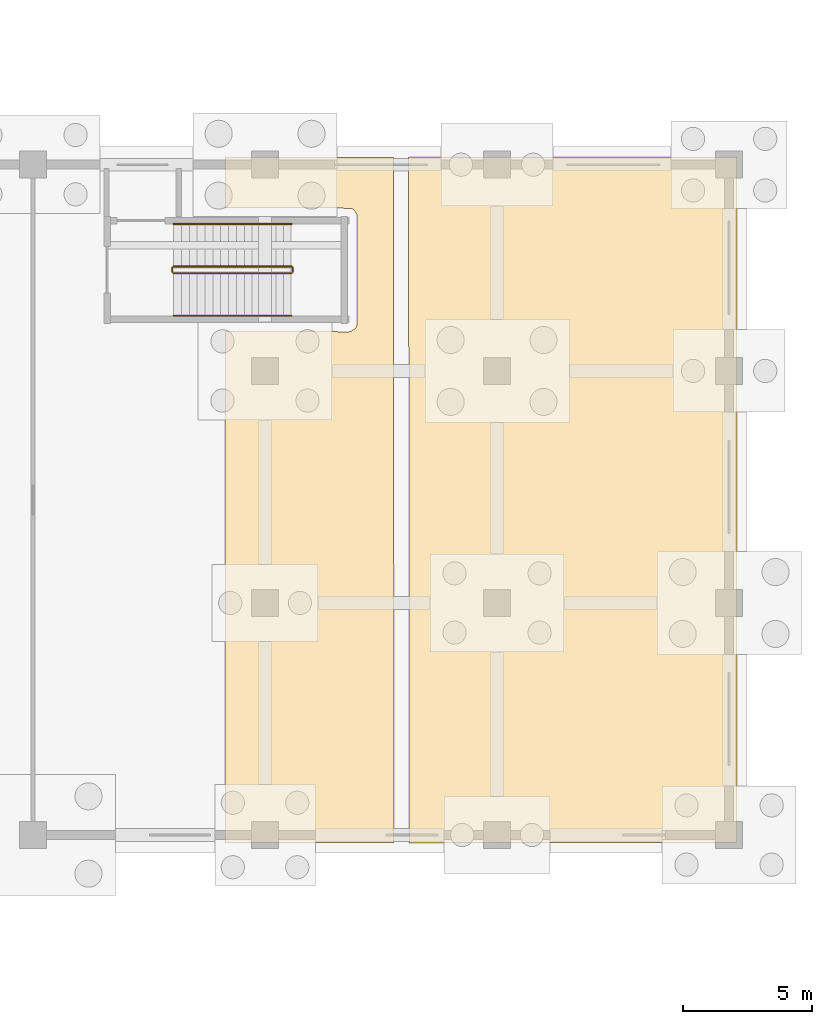
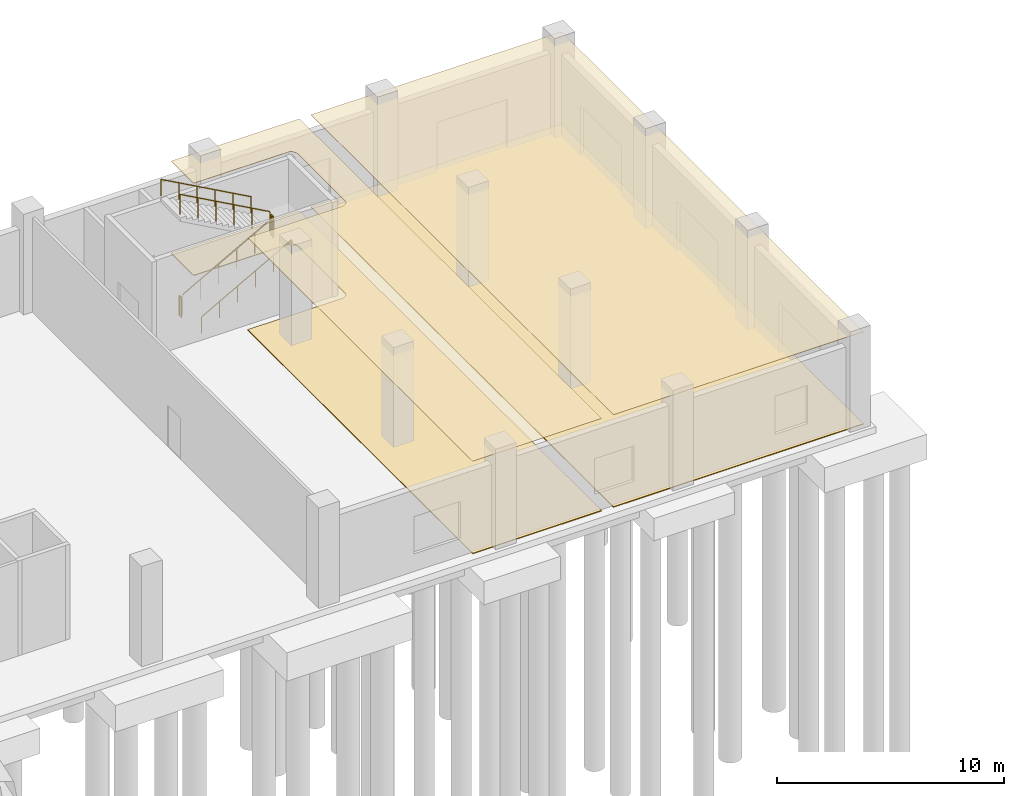
# One storey, part 101 of 103: 6 railings, 4 coverings.
"""IFC4 building model written with IfcOpenShell, lengths in metres."""

from ifc_helpers import new_model, si_unit, direction, frame, origin, origin_2d, place, context, subcontext, project, spatial, polyline, circle, outline, extrude, material, layer, layer_set, type_object, element, save


model = new_model("IFC4")

# Units and contexts
model_context = context("Model", 3, precision=1e-05, world=origin(), true_north=direction((0.0, 1.0)))
body_context = subcontext(model_context, "Body", "Model", "MODEL_VIEW")
ifc_project = project(units=[si_unit("LENGTHUNIT", "METRE"), si_unit("AREAUNIT", "SQUARE_METRE"), si_unit("VOLUMEUNIT", "CUBIC_METRE"), si_unit("PLANEANGLEUNIT", "RADIAN"), si_unit("MASSUNIT", "GRAM", prefix="KILO")], contexts=[model_context])

# Site, building, storey
site_placement = place(None, origin())
site = spatial("IfcSite", under=ifc_project, at=site_placement, CompositionType="ELEMENT")
building_placement = place(site_placement, origin())
building = spatial("IfcBuilding", under=site, at=building_placement, Name="Zevraka Park Crest Stadium", CompositionType="ELEMENT")
storey_placement = place(building_placement, origin())
storey = spatial("IfcBuildingStorey", under=building, at=storey_placement, Name="L00", CompositionType="ELEMENT", Elevation=0.0)

# Coverings
ifc_material_1 = material(Name="Perforated acoustic mineral-fibre suspended ceiling", Category="other")
ifc_layer_1 = layer(ifc_material_1, 0.02490234375)
ifc_layer_set_1 = layer_set([ifc_layer_1], Name="Perforated acoustic mineral-fibre suspended ceiling")
covering_type_1 = type_object("IfcCoveringType", Name="CLG01", PredefinedType="CEILING", material=ifc_layer_set_1)
covering_1_placement = place(storey_placement, frame((0.0, 0.0, 4.9599609375)))
element("IfcCovering", 1, at=covering_1_placement, inside=storey, type_object=covering_type_1, Name="Acoustic Ceiling Supporter Shop L00-063", PredefinedType="CEILING", context=body_context, shape_type="SweptSolid", body=[
    extrude(outline(polyline([(224.30810546875, 184.2919921875), (224.303955078125, 157.712890625), (211.5849609375, 157.696044921875), (211.569091796875, 184.29296875), (224.30810546875, 184.2919921875)])), origin(), (0.0, 0.0, 1.0), 0.025146484375),
])
covering_2_placement = place(storey_placement, frame((0.0, 0.0, 4.9599609375)))
element("IfcCovering", 2, at=covering_2_placement, inside=storey, type_object=covering_type_1, Name="Acoustic Ceiling Supporter Shop L00-064", PredefinedType="CEILING", context=body_context, shape_type="SweptSolid", body=[
    extrude(outline(polyline([(204.43896484375, 177.52490234375), (209.2490234375, 177.52001953125), (209.26904296875, 177.52099609375), (209.2880859375, 177.52392578125), (209.306884765625, 177.529052734375), (209.325927734375, 177.534912109375), (209.343994140625, 177.5439453125), (209.361083984375, 177.553955078125), (209.471923828125, 177.62890625), (209.488037109375, 177.64111328125), (209.501953125, 177.654052734375), (209.514892578125, 177.6689453125), (209.527099609375, 177.68408203125), (209.537109375, 177.700927734375), (209.544921875, 177.718994140625), (209.551025390625, 177.737060546875), (209.555908203125, 177.756103515625), (209.55908203125, 177.77490234375), (209.56005859375, 177.794921875), (209.570068359375, 181.9990234375), (209.569091796875, 182.01806640625), (209.56591796875, 182.0380859375), (209.56103515625, 182.056884765625), (209.554931640625, 182.074951171875), (209.547119140625, 182.093017578125), (209.535888671875, 182.110107421875), (209.4619140625, 182.220947265625), (209.450927734375, 182.237060546875), (209.43798828125, 182.2509765625), (209.423095703125, 182.263916015625), (209.406982421875, 182.27587890625), (209.39111328125, 182.285888671875), (209.373046875, 182.294921875), (209.35400390625, 182.301025390625), (209.3349609375, 182.305908203125), (209.31591796875, 182.30908203125), (209.2958984375, 182.31005859375), (204.4619140625, 182.322021484375), (204.45703125, 184.2919921875), (210.98095703125, 184.281005859375), (210.9990234375, 157.712890625), (204.43798828125, 157.702880859375), (204.43896484375, 177.52490234375)])), origin(), (0.0, 0.0, 1.0), 0.025146484375),
])
ifc_material_2 = material(Name="Honed terrazzo and slip-resistant sports flooring", Category="other")
ifc_layer_2 = layer(ifc_material_2, 0.0400390625)
ifc_layer_set_2 = layer_set([ifc_layer_2], Name="Honed terrazzo and slip-resistant sports flooring")
covering_type_2 = type_object("IfcCoveringType", Name="FLR01", PredefinedType="FLOORING", material=ifc_layer_set_2)
covering_3_placement = place(storey_placement, origin())
element("IfcCovering", 3, at=covering_3_placement, inside=storey, type_object=covering_type_2, Name="Terrazzo Floor Finish Supporter Shop L00-063", PredefinedType="FLOORING", context=body_context, shape_type="SweptSolid", body=[
    extrude(outline(polyline([(224.30810546875, 184.2919921875), (224.303955078125, 157.712890625), (211.5849609375, 157.696044921875), (211.569091796875, 184.29296875), (224.30810546875, 184.2919921875)])), origin(), (0.0, 0.0, 1.0), 0.0400390625),
])
covering_4_placement = place(storey_placement, origin())
element("IfcCovering", 4, at=covering_4_placement, inside=storey, type_object=covering_type_2, Name="Terrazzo Floor Finish Supporter Shop L00-064", PredefinedType="FLOORING", context=body_context, shape_type="SweptSolid", body=[
    extrude(outline(polyline([(204.43896484375, 177.52490234375), (209.2490234375, 177.52001953125), (209.26904296875, 177.52099609375), (209.2880859375, 177.52392578125), (209.306884765625, 177.529052734375), (209.325927734375, 177.534912109375), (209.343994140625, 177.5439453125), (209.361083984375, 177.553955078125), (209.471923828125, 177.62890625), (209.488037109375, 177.64111328125), (209.501953125, 177.654052734375), (209.514892578125, 177.6689453125), (209.527099609375, 177.68408203125), (209.537109375, 177.700927734375), (209.544921875, 177.718994140625), (209.551025390625, 177.737060546875), (209.555908203125, 177.756103515625), (209.55908203125, 177.77490234375), (209.56005859375, 177.794921875), (209.570068359375, 181.9990234375), (209.569091796875, 182.01806640625), (209.56591796875, 182.0380859375), (209.56103515625, 182.056884765625), (209.554931640625, 182.074951171875), (209.547119140625, 182.093017578125), (209.535888671875, 182.110107421875), (209.4619140625, 182.220947265625), (209.450927734375, 182.237060546875), (209.43798828125, 182.2509765625), (209.423095703125, 182.263916015625), (209.406982421875, 182.27587890625), (209.39111328125, 182.285888671875), (209.373046875, 182.294921875), (209.35400390625, 182.301025390625), (209.3349609375, 182.305908203125), (209.31591796875, 182.30908203125), (209.2958984375, 182.31005859375), (204.4619140625, 182.322021484375), (204.45703125, 184.2919921875), (210.98095703125, 184.281005859375), (210.9990234375, 157.712890625), (204.43798828125, 157.702880859375), (204.43896484375, 177.52490234375)])), origin(), (0.0, 0.0, 1.0), 0.0400390625),
])

# Railings
ifc_material_3 = material(Name="Powder-coated tubular steel stairwell guard", Category="steel")
railing_type_1 = type_object("IfcRailingType", Name="GR03", PredefinedType="GUARDRAIL", material=ifc_material_3)
railing_1_placement = place(storey_placement, frame((202.449951171875, 179.7900390625, 0.168701171875)))
element("IfcRailing", 5, at=railing_1_placement, inside=storey, type_object=railing_type_1, Name="L00 ST45 stair guard 1", PredefinedType="GUARDRAIL", context=body_context, shape_type="SweptSolid", body=[
    extrude(circle(Radius=0.02392578125, at=origin_2d()), frame((0.0, 0.0, 1.076171875), z_axis=(0.874999533545, 0.0, 0.484123761342), x_axis=(0.0, 1.0, 0.0)), (0.0, 0.0, 1.0), 5.228515625),
    extrude(circle(Radius=0.02099609375, at=origin_2d()), origin(), (0.0, 0.0, 1.0), 1.052001953125),
    extrude(circle(Radius=0.02099609375, at=origin_2d()), frame((0.9150390625, 0.0, 0.50634765625)), (0.0, 0.0, 1.0), 1.052001953125),
    extrude(circle(Radius=0.02099609375, at=origin_2d()), frame((1.830078125, 0.0, 1.012451171875)), (0.0, 0.0, 1.0), 1.052001953125),
    extrude(circle(Radius=0.02099609375, at=origin_2d()), frame((2.744873046875, 0.0, 1.518798828125)), (0.0, 0.0, 1.0), 1.052001953125),
    extrude(circle(Radius=0.02099609375, at=origin_2d()), frame((3.659912109375, 0.0, 2.02490234375)), (0.0, 0.0, 1.0), 1.052001953125),
    extrude(circle(Radius=0.02099609375, at=origin_2d()), frame((4.574951171875, 0.0, 2.53125)), (0.0, 0.0, 1.0), 1.052001953125),
])
railing_2_placement = place(storey_placement, frame((207.074951171875, 179.840087890625, 2.699951171875)))
element("IfcRailing", 6, at=railing_2_placement, inside=storey, type_object=railing_type_1, Name="L00 ST45 stair guard 2", PredefinedType="GUARDRAIL", context=body_context, shape_type="SweptSolid", body=[
    extrude(circle(Radius=0.02392578125, at=origin_2d()), frame((0.0, 0.0, 1.076171875), z_axis=(0.0, 1.0, 0.0), x_axis=(-1.0, 0.0, 0.0)), (0.0, 0.0, 1.0), 0.159912109375),
    extrude(circle(Radius=0.02099609375, at=origin_2d()), origin(), (0.0, 0.0, 1.0), 1.052001953125),
    extrude(circle(Radius=0.02099609375, at=origin_2d()), frame((0.0, 0.159912109375, 0.0)), (0.0, 0.0, 1.0), 1.052001953125),
])
railing_3_placement = place(storey_placement, frame((207.02490234375, 180.050048828125, 2.86865234375)))
element("IfcRailing", 7, at=railing_3_placement, inside=storey, type_object=railing_type_1, Name="L00 ST45 stair guard 3", PredefinedType="GUARDRAIL", context=body_context, shape_type="SweptSolid", body=[
    extrude(circle(Radius=0.02392578125, at=origin_2d()), frame((0.0, 0.0, 1.076171875), z_axis=(-0.874999533545, 0.0, 0.484123761342), x_axis=(0.0, -1.0, 0.0)), (0.0, 0.0, 1.0), 5.228515625),
    extrude(circle(Radius=0.02099609375, at=origin_2d()), origin(), (0.0, 0.0, 1.0), 1.052001953125),
    extrude(circle(Radius=0.02099609375, at=origin_2d()), frame((-0.9150390625, 0.0, 0.50634765625)), (0.0, 0.0, 1.0), 1.052001953125),
    extrude(circle(Radius=0.02099609375, at=origin_2d()), frame((-1.830078125, 0.0, 1.012451171875)), (0.0, 0.0, 1.0), 1.052001953125),
    extrude(circle(Radius=0.02099609375, at=origin_2d()), frame((-2.744873046875, 0.0, 1.518798828125)), (0.0, 0.0, 1.0), 1.052001953125),
    extrude(circle(Radius=0.02099609375, at=origin_2d()), frame((-3.659912109375, 0.0, 2.02490234375)), (0.0, 0.0, 1.0), 1.052001953125),
    extrude(circle(Radius=0.02099609375, at=origin_2d()), frame((-4.574951171875, 0.0, 2.53125)), (0.0, 0.0, 1.0), 1.052001953125),
])
railing_4_placement = place(storey_placement, frame((202.39990234375, 179.840087890625, 0.0)))
element("IfcRailing", 8, at=railing_4_placement, inside=storey, type_object=railing_type_1, Name="L00 ST45 stair guard 4", PredefinedType="GUARDRAIL", context=body_context, shape_type="SweptSolid", body=[
    extrude(circle(Radius=0.02392578125, at=origin_2d()), frame((0.0, 0.0, 1.076171875), z_axis=(0.0, 1.0, 0.0), x_axis=(-1.0, 0.0, 0.0)), (0.0, 0.0, 1.0), 0.159912109375),
    extrude(circle(Radius=0.02099609375, at=origin_2d()), origin(), (0.0, 0.0, 1.0), 1.052001953125),
    extrude(circle(Radius=0.02099609375, at=origin_2d()), frame((0.0, 0.159912109375, 0.0)), (0.0, 0.0, 1.0), 1.052001953125),
])
ifc_material_4 = material(Name="Brushed stainless steel continuous handrail", Category="steel")
railing_type_2 = type_object("IfcRailingType", Name="HR01", PredefinedType="HANDRAIL", material=ifc_material_4)
railing_5_placement = place(storey_placement, frame((202.449951171875, 178.139892578125, 0.168701171875)))
element("IfcRailing", 9, at=railing_5_placement, inside=storey, type_object=railing_type_2, Name="L00 ST45 stair handrail 1", PredefinedType="HANDRAIL", context=body_context, shape_type="SweptSolid", body=[
    extrude(circle(Radius=0.02392578125, at=origin_2d()), frame((0.0, 0.0, 0.8759765625), z_axis=(0.874999533545, 0.0, 0.484123761342), x_axis=(0.0, 1.0, 0.0)), (0.0, 0.0, 1.0), 5.228515625),
    extrude(circle(Radius=0.02099609375, at=origin_2d()), origin(), (0.0, 0.0, 1.0), 0.851806640625),
    extrude(circle(Radius=0.02099609375, at=origin_2d()), frame((0.9150390625, 0.0, 0.50634765625)), (0.0, 0.0, 1.0), 0.851806640625),
    extrude(circle(Radius=0.02099609375, at=origin_2d()), frame((1.830078125, 0.0, 1.012451171875)), (0.0, 0.0, 1.0), 0.851806640625),
    extrude(circle(Radius=0.02099609375, at=origin_2d()), frame((2.744873046875, 0.0, 1.518798828125)), (0.0, 0.0, 1.0), 0.851806640625),
    extrude(circle(Radius=0.02099609375, at=origin_2d()), frame((3.659912109375, 0.0, 2.02490234375)), (0.0, 0.0, 1.0), 0.851806640625),
    extrude(circle(Radius=0.02099609375, at=origin_2d()), frame((4.574951171875, 0.0, 2.53125)), (0.0, 0.0, 1.0), 0.851806640625),
])
railing_6_placement = place(storey_placement, frame((207.02490234375, 181.699951171875, 2.86865234375)))
element("IfcRailing", 10, at=railing_6_placement, inside=storey, type_object=railing_type_2, Name="L00 ST45 stair handrail 2", PredefinedType="HANDRAIL", context=body_context, shape_type="SweptSolid", body=[
    extrude(circle(Radius=0.02392578125, at=origin_2d()), frame((0.0, 0.0, 0.8759765625), z_axis=(-0.874999533545, 0.0, 0.484123761342), x_axis=(0.0, -1.0, 0.0)), (0.0, 0.0, 1.0), 5.228515625),
    extrude(circle(Radius=0.02099609375, at=origin_2d()), origin(), (0.0, 0.0, 1.0), 0.851806640625),
    extrude(circle(Radius=0.02099609375, at=origin_2d()), frame((-0.9150390625, 0.0, 0.50634765625)), (0.0, 0.0, 1.0), 0.851806640625),
    extrude(circle(Radius=0.02099609375, at=origin_2d()), frame((-1.830078125, 0.0, 1.012451171875)), (0.0, 0.0, 1.0), 0.851806640625),
    extrude(circle(Radius=0.02099609375, at=origin_2d()), frame((-2.744873046875, 0.0, 1.518798828125)), (0.0, 0.0, 1.0), 0.851806640625),
    extrude(circle(Radius=0.02099609375, at=origin_2d()), frame((-3.659912109375, 0.0, 2.02490234375)), (0.0, 0.0, 1.0), 0.851806640625),
    extrude(circle(Radius=0.02099609375, at=origin_2d()), frame((-4.574951171875, 0.0, 2.53125)), (0.0, 0.0, 1.0), 0.851806640625),
])

save(model, "model.ifc")
